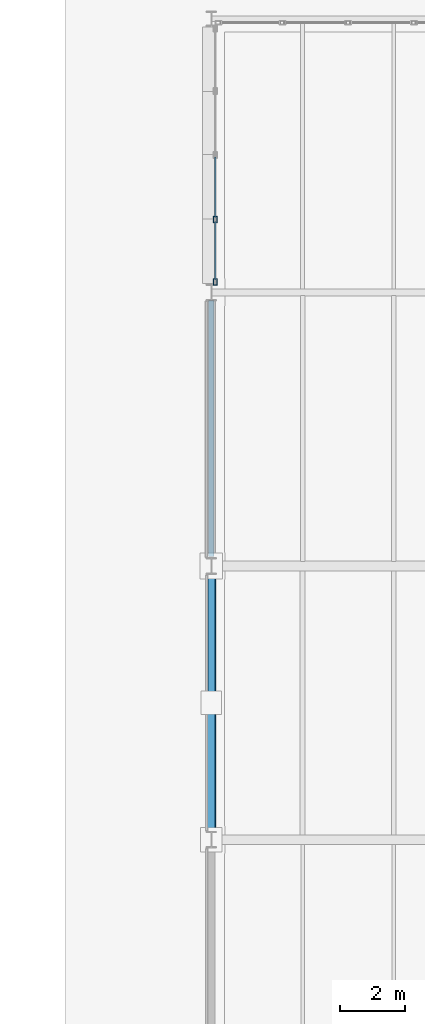
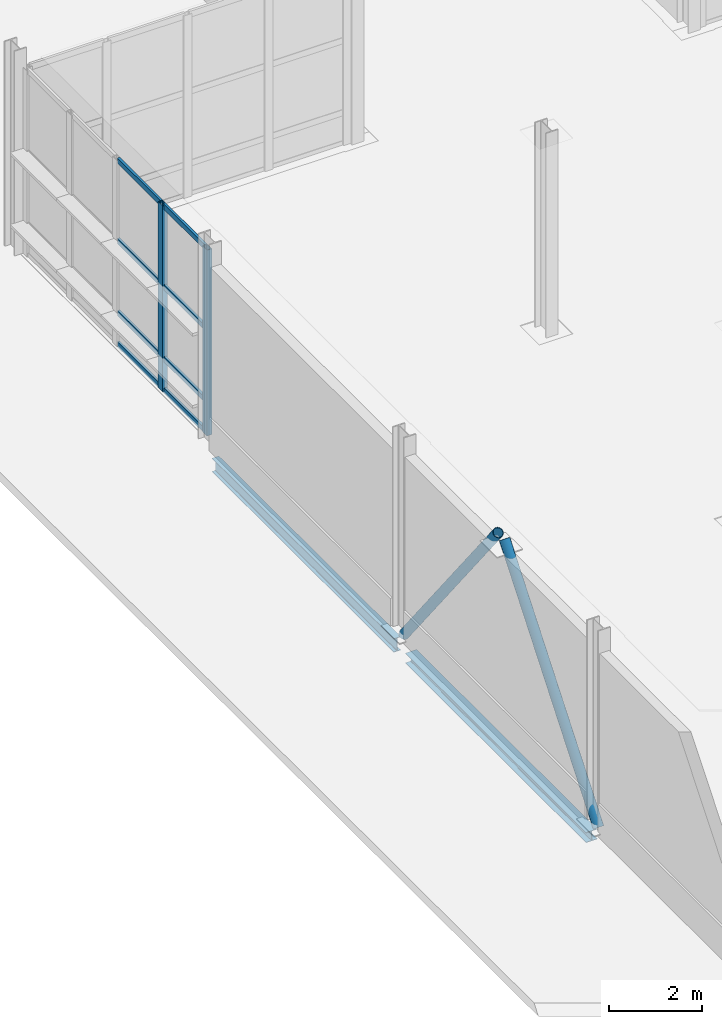
# One storey, part 57 of 124: 12 members, 2 beams, 1 element without a shape of its own.
"""IFC4 building model written with IfcOpenShell, lengths in metres."""

from ifc_helpers import new_model, si_unit, direction, frame, origin, origin_2d, place, context, subcontext, project, spatial, hollow_rectangle, hollow_circle, i_section, extrude, material, material_profile, profile_set, type_object, element, aggregate, save


model = new_model("IFC4")

# Units and contexts
model_context = context("Model", 3, precision=1e-05, world=origin(), true_north=direction((0.0, 1.0)))
body_context = subcontext(model_context, "Body", "Model", "MODEL_VIEW")
ifc_project = project(units=[si_unit("LENGTHUNIT", "METRE"), si_unit("AREAUNIT", "SQUARE_METRE"), si_unit("VOLUMEUNIT", "CUBIC_METRE"), si_unit("PLANEANGLEUNIT", "RADIAN"), si_unit("MASSUNIT", "GRAM", prefix="KILO")], contexts=[model_context])

# Site, building, storey
site_placement = place(None, origin())
site = spatial("IfcSite", under=ifc_project, at=site_placement, CompositionType="ELEMENT")
building_placement = place(site_placement, origin())
building = spatial("IfcBuilding", under=site, at=building_placement, Name="Mersafa Astral City Hall", CompositionType="ELEMENT")
storey_placement = place(building_placement, origin())
storey = spatial("IfcBuildingStorey", under=building, at=storey_placement, Name="L00", CompositionType="ELEMENT", Elevation=0.0)

# Curtain wall, members
ifc_material_1 = material(Name="Anodised bronze aluminium framing", Category="aluminium")
curtain_wall_type = type_object("IfcCurtainWallType", Name="ENV-CW-4", PredefinedType="USERDEFINED", material=ifc_material_1)
curtain_wall_placement = place(storey_placement, origin())
curtain_wall = element("IfcCurtainWall", 1, at=curtain_wall_placement, inside=storey, type_object=curtain_wall_type, Name="L00 Unitised solar curtain wall 21", ObjectType="UNITISED CURTAIN WALL", PredefinedType="USERDEFINED")
ifc_material_profile_1 = material_profile(ifc_material_1, hollow_rectangle(XDim=0.1201171875, YDim=0.199951171875, WallThickness=0.008056640625, at=origin_2d()), Name="RHS 120x200x8")
ifc_profile_set_1 = profile_set([ifc_material_profile_1], Name="Anodised bronze aluminium framing")
member_type_1 = type_object("IfcMemberType", Name="ENV-CW-MUL-2", PredefinedType="MULLION", material=ifc_profile_set_1)
member_1_placement = place(storey_placement, frame((159.719970703125, 86.2373046875, -0.001953125), z_axis=(0.0, 0.0, 1.0), x_axis=(1.0, 0.0, 0.0)))
member_1 = element("IfcMember", 2, at=member_1_placement, type_object=member_type_1, Name="CW-4 mullion 4", PredefinedType="MULLION", context=body_context, shape_type="SweptSolid", body=[
    extrude(hollow_rectangle(XDim=0.1201171875, YDim=0.199951171875, WallThickness=0.008056640625, at=origin_2d()), origin(), (0.0, 0.0, 1.0), 4.904052734375),
])
member_2_placement = place(storey_placement, frame((159.719970703125, 84.322021484375, -0.001953125), z_axis=(0.0, 0.0, 1.0), x_axis=(1.0, 0.0, 0.0)))
member_2 = element("IfcMember", 3, at=member_2_placement, type_object=member_type_1, Name="CW-4 mullion 5", PredefinedType="MULLION", context=body_context, shape_type="SweptSolid", body=[
    extrude(hollow_rectangle(XDim=0.1201171875, YDim=0.199951171875, WallThickness=0.008056640625, at=origin_2d()), origin(), (0.0, 0.0, 1.0), 4.904052734375),
])
ifc_material_profile_2 = material_profile(ifc_material_1, hollow_rectangle(XDim=0.06005859375, YDim=0.139892578125, WallThickness=0.00390625, at=origin_2d()), Name="RHS 60x140x4")
ifc_profile_set_2 = profile_set([ifc_material_profile_2], Name="Anodised bronze aluminium framing")
member_type_2 = type_object("IfcMemberType", Name="ENV-CW-TRN-1", PredefinedType="USERDEFINED", material=ifc_profile_set_2)
member_3_placement = place(storey_placement, frame((159.719970703125, 88.152587890625, 0.028076171875), z_axis=(0.0, -1.0, 0.0), x_axis=(1.0, 0.0, 0.0)))
member_3 = element("IfcMember", 4, at=member_3_placement, type_object=member_type_2, Name="CW-4 transom 3.1", ObjectType="TRANSOM", PredefinedType="USERDEFINED", context=body_context, shape_type="SweptSolid", body=[
    extrude(hollow_rectangle(XDim=0.06005859375, YDim=0.139892578125, WallThickness=0.00390625, at=origin_2d()), origin(), (0.0, 0.0, 1.0), 1.855224609375),
])
member_4_placement = place(storey_placement, frame((159.719970703125, 88.152587890625, 0.85009765625), z_axis=(0.0, -1.0, 0.0), x_axis=(1.0, 0.0, 0.0)))
member_4 = element("IfcMember", 5, at=member_4_placement, type_object=member_type_2, Name="CW-4 transom 3.2", ObjectType="TRANSOM", PredefinedType="USERDEFINED", context=body_context, shape_type="SweptSolid", body=[
    extrude(hollow_rectangle(XDim=0.06005859375, YDim=0.139892578125, WallThickness=0.00390625, at=origin_2d()), origin(), (0.0, 0.0, 1.0), 1.855224609375),
])
member_5_placement = place(storey_placement, frame((159.719970703125, 88.152587890625, 2.75), z_axis=(0.0, -1.0, 0.0), x_axis=(1.0, 0.0, 0.0)))
member_5 = element("IfcMember", 6, at=member_5_placement, type_object=member_type_2, Name="CW-4 transom 3.3", ObjectType="TRANSOM", PredefinedType="USERDEFINED", context=body_context, shape_type="SweptSolid", body=[
    extrude(hollow_rectangle(XDim=0.06005859375, YDim=0.139892578125, WallThickness=0.00390625, at=origin_2d()), origin(), (0.0, 0.0, 1.0), 1.855224609375),
])
member_6_placement = place(storey_placement, frame((159.719970703125, 88.152587890625, 4.8720703125), z_axis=(0.0, -1.0, 0.0), x_axis=(1.0, 0.0, 0.0)))
member_6 = element("IfcMember", 7, at=member_6_placement, type_object=member_type_2, Name="CW-4 transom 3.4", ObjectType="TRANSOM", PredefinedType="USERDEFINED", context=body_context, shape_type="SweptSolid", body=[
    extrude(hollow_rectangle(XDim=0.06005859375, YDim=0.139892578125, WallThickness=0.00390625, at=origin_2d()), origin(), (0.0, 0.0, 1.0), 1.855224609375),
])
member_7_placement = place(storey_placement, frame((159.719970703125, 86.17724609375, 0.028076171875), z_axis=(0.0, -1.0, 0.0), x_axis=(1.0, 0.0, 0.0)))
member_7 = element("IfcMember", 8, at=member_7_placement, type_object=member_type_2, Name="CW-4 transom 4.1", ObjectType="TRANSOM", PredefinedType="USERDEFINED", context=body_context, shape_type="SweptSolid", body=[
    extrude(hollow_rectangle(XDim=0.06005859375, YDim=0.139892578125, WallThickness=0.00390625, at=origin_2d()), origin(), (0.0, 0.0, 1.0), 1.795166015625),
])
member_8_placement = place(storey_placement, frame((159.719970703125, 86.17724609375, 0.85009765625), z_axis=(0.0, -1.0, 0.0), x_axis=(1.0, 0.0, 0.0)))
member_8 = element("IfcMember", 9, at=member_8_placement, type_object=member_type_2, Name="CW-4 transom 4.2", ObjectType="TRANSOM", PredefinedType="USERDEFINED", context=body_context, shape_type="SweptSolid", body=[
    extrude(hollow_rectangle(XDim=0.06005859375, YDim=0.139892578125, WallThickness=0.00390625, at=origin_2d()), origin(), (0.0, 0.0, 1.0), 1.795166015625),
])
member_9_placement = place(storey_placement, frame((159.719970703125, 86.17724609375, 2.75), z_axis=(0.0, -1.0, 0.0), x_axis=(1.0, 0.0, 0.0)))
member_9 = element("IfcMember", 10, at=member_9_placement, type_object=member_type_2, Name="CW-4 transom 4.3", ObjectType="TRANSOM", PredefinedType="USERDEFINED", context=body_context, shape_type="SweptSolid", body=[
    extrude(hollow_rectangle(XDim=0.06005859375, YDim=0.139892578125, WallThickness=0.00390625, at=origin_2d()), origin(), (0.0, 0.0, 1.0), 1.795166015625),
])
member_10_placement = place(storey_placement, frame((159.719970703125, 86.17724609375, 4.8720703125), z_axis=(0.0, -1.0, 0.0), x_axis=(1.0, 0.0, 0.0)))
member_10 = element("IfcMember", 11, at=member_10_placement, type_object=member_type_2, Name="CW-4 transom 4.4", ObjectType="TRANSOM", PredefinedType="USERDEFINED", context=body_context, shape_type="SweptSolid", body=[
    extrude(hollow_rectangle(XDim=0.06005859375, YDim=0.139892578125, WallThickness=0.00390625, at=origin_2d()), origin(), (0.0, 0.0, 1.0), 1.795166015625),
])
aggregate(curtain_wall, [member_1, member_2, member_3, member_4, member_5, member_6, member_7, member_8, member_9, member_10])

# Beams
ifc_material_2 = material(Name="Steel S355", Category="steel")
ifc_material_profile_3 = material_profile(ifc_material_2, i_section(OverallWidth=0.280029296875, OverallDepth=0.27001953125, WebThickness=0.008056640625, FlangeThickness=0.012939453125, FilletRadius=0.02392578125, at=origin_2d()), Name="HEA 280")
ifc_profile_set_3 = profile_set([ifc_material_profile_3], Name="Steel S355")
beam_type_1 = type_object("IfcBeamType", Name="STR-BM-SPANDREL-HEA280", PredefinedType="SPANDREL", material=ifc_profile_set_3)
beam_1_placement = place(storey_placement, frame((159.60009765625, 67.4951171875, -0.385009765625), z_axis=(0.0, 1.0, 0.0), x_axis=(-1.0, 0.0, 0.0)))
element("IfcBeam", 12, at=beam_1_placement, inside=storey, type_object=beam_type_1, Name="L00 Primary girder Y 19-8", PredefinedType="SPANDREL", context=body_context, shape_type="SweptSolid", body=[
    extrude(i_section(OverallWidth=0.280029296875, OverallDepth=0.27001953125, WebThickness=0.008056640625, FlangeThickness=0.012939453125, FilletRadius=0.02392578125, at=origin_2d()), origin(), (0.0, 0.0, 1.0), 7.809814453125),
])
ifc_material_profile_4 = material_profile(ifc_material_2, i_section(OverallWidth=0.169921875, OverallDepth=0.360107421875, WebThickness=0.008056640625, FlangeThickness=0.0126953125, FilletRadius=0.01806640625, at=origin_2d()), Name="IPE 360")
ifc_profile_set_4 = profile_set([ifc_material_profile_4], Name="Steel S355")
beam_type_2 = type_object("IfcBeamType", Name="STR-BM-SPANDREL-IPE360", PredefinedType="SPANDREL", material=ifc_profile_set_4)
beam_2_placement = place(storey_placement, frame((159.60009765625, 75.89501953125, -0.429931640625), z_axis=(0.0, 1.0, 0.0), x_axis=(-1.0, 0.0, 0.0)))
element("IfcBeam", 13, at=beam_2_placement, inside=storey, type_object=beam_type_2, Name="L00 Primary girder Y 19-9", PredefinedType="SPANDREL", context=body_context, shape_type="SweptSolid", body=[
    extrude(i_section(OverallWidth=0.169921875, OverallDepth=0.360107421875, WebThickness=0.008056640625, FlangeThickness=0.0126953125, FilletRadius=0.01806640625, at=origin_2d()), origin(), (0.0, 0.0, 1.0), 7.85986328125),
])

# Members
ifc_material_profile_5 = material_profile(ifc_material_2, hollow_circle(Radius=0.122314453125, WallThickness=0.012451171875, at=origin_2d()), Name="CHS 244.5x12.5")
ifc_profile_set_5 = profile_set([ifc_material_profile_5], Name="Steel S355")
member_type_3 = type_object("IfcMemberType", Name="STR-MBR-BRACE-CHS245", PredefinedType="BRACE", material=ifc_profile_set_5)
for number, where, z_axis, x_axis, name in (
    (14, (159.60009765625, 67.197998046875, 0.02001953125), (0.0, 0.619658779152, 0.78487132539), (-1.0, 0.0, 0.0), "L00 Chevron lateral brace 32A"),
    (15, (159.60009765625, 75.60205078125, 0.02001953125), (0.0, -0.619658779152, 0.78487132539), (1.0, 0.0, 0.0), "L00 Chevron lateral brace 32B"),
):
    element("IfcMember", number, at=place(storey_placement, frame(where, z_axis=z_axis, x_axis=x_axis)), inside=storey, type_object=member_type_3, Name=name, PredefinedType="BRACE", context=body_context, shape_type="SweptSolid", body=[
        extrude(hollow_circle(Radius=0.122314453125, WallThickness=0.012451171875, at=origin_2d()), origin(), (0.0, 0.0, 1.0), 6.55517578125),
    ])

save(model, "model.ifc")
